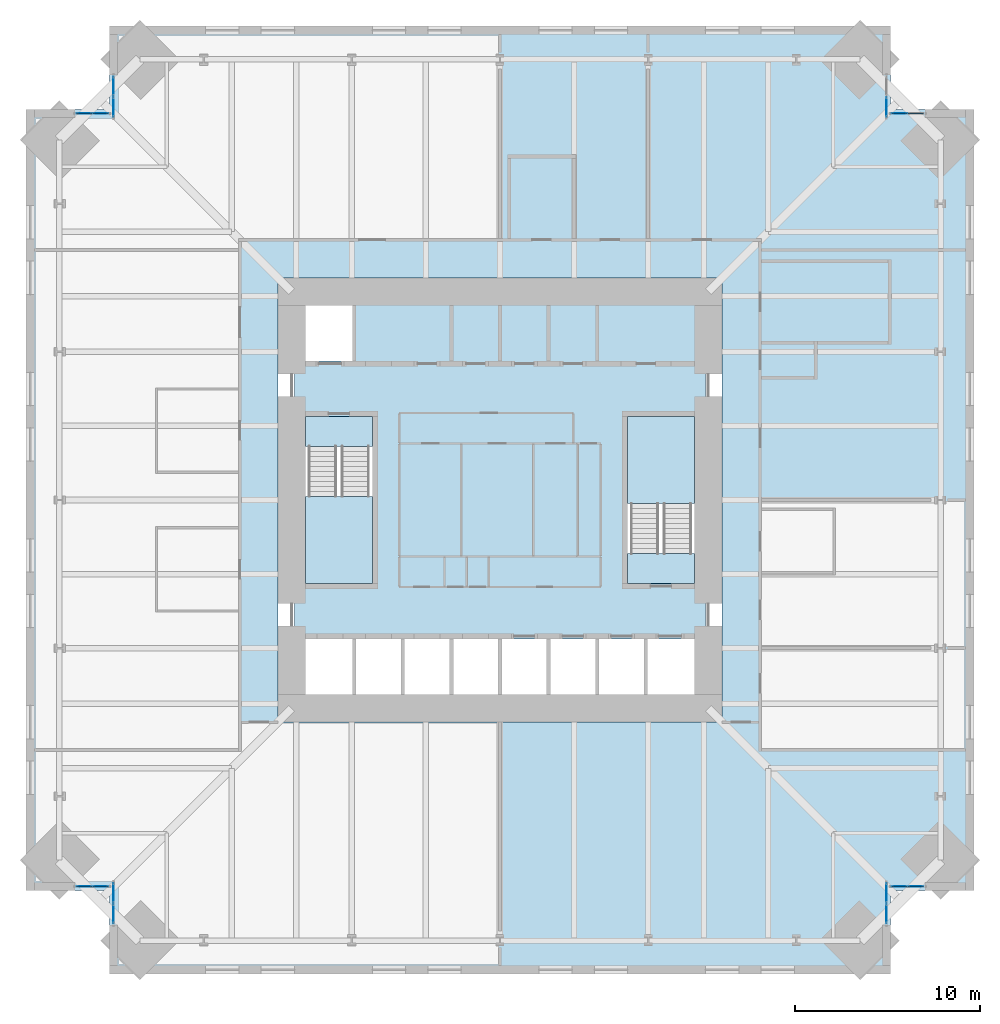
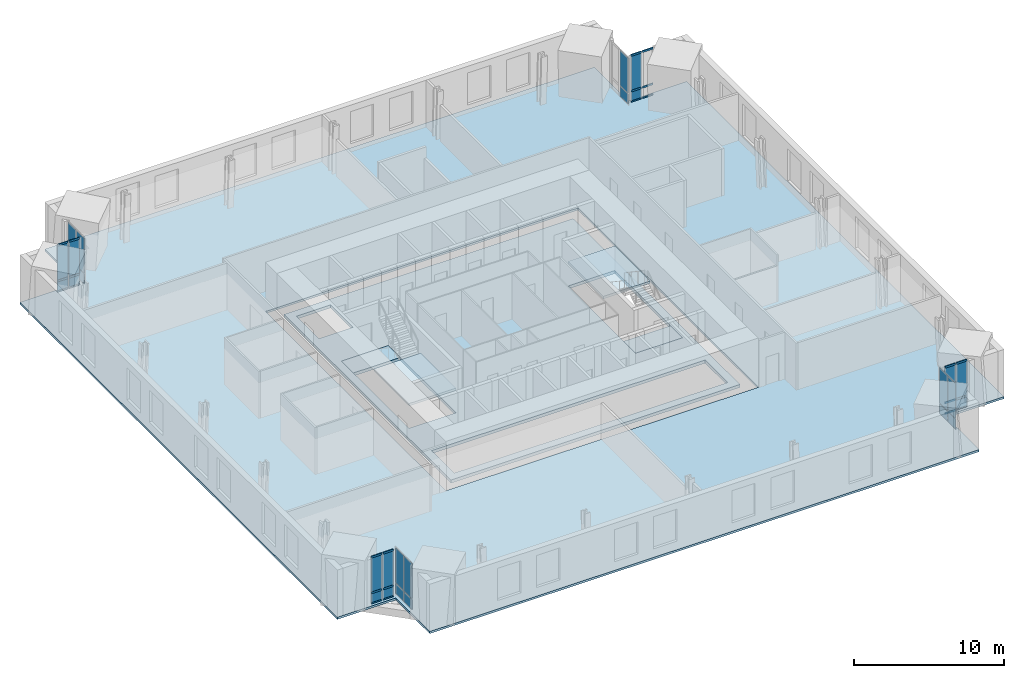
# One storey, part 12 of 18: 28 plates, 24 members, 6 slabs, 10 elements without a shape of their own.
"""IFC4 building model written with IfcOpenShell, lengths in metres."""

from ifc_helpers import new_model, si_unit, direction, frame, origin, origin_2d, place, context, subcontext, project, spatial, polyline, rectangle, hollow_rectangle, outline, extrude, material, layer, layer_set, material_profile, profile_set, type_object, element, aggregate, save


model = new_model("IFC4")

# Units and contexts
model_context = context("Model", 3, precision=1e-05, world=origin(), true_north=direction((0.0, 1.0)))
body_context = subcontext(model_context, "Body", "Model", "MODEL_VIEW")
ifc_project = project(units=[si_unit("LENGTHUNIT", "METRE"), si_unit("AREAUNIT", "SQUARE_METRE"), si_unit("VOLUMEUNIT", "CUBIC_METRE"), si_unit("PLANEANGLEUNIT", "RADIAN"), si_unit("MASSUNIT", "GRAM", prefix="KILO")], contexts=[model_context])

# Site, building, storey
site_placement = place(None, origin())
site = spatial("IfcSite", under=ifc_project, at=site_placement, CompositionType="ELEMENT")
building_placement = place(site_placement, origin())
building = spatial("IfcBuilding", under=site, at=building_placement, Name="Peilmerk Tower", CompositionType="ELEMENT")
storey_placement = place(building_placement, frame((0.0, 0.0, 175.800048828125)))
storey = spatial("IfcBuildingStorey", under=building, at=storey_placement, Name="L37", CompositionType="ELEMENT", Elevation=175.800048828125)

# Curtain wall, members
ifc_material_1 = material(Name="Aluminium stick curtain wall", Category="aluminium")
curtain_wall_type = type_object("IfcCurtainWallType", Name="CW3 stick curtain wall, 2250 module", PredefinedType="NOTDEFINED", material=ifc_material_1)
curtain_wall_1_placement = place(storey_placement, origin())
curtain_wall_1 = element("IfcCurtainWall", 1, at=curtain_wall_1_placement, inside=storey, type_object=curtain_wall_type, Name="Curtain wall CW3 NEB L37", PredefinedType="NOTDEFINED")
ifc_material_2 = material(Name="Aluminium EN AW-6063 T6", Category="aluminium")
ifc_material_profile = material_profile(ifc_material_2, hollow_rectangle(XDim=0.06494140625, YDim=0.14990234375, WallThickness=0.0029296875, at=origin_2d()), Name="AL 150x65x3")
ifc_profile_set = profile_set([ifc_material_profile], Name="Aluminium EN AW-6063 T6")
member_type = type_object("IfcMemberType", Name="CW3-T AL 150x65x3 transom", PredefinedType="USERDEFINED", material=ifc_profile_set)
member_1_placement = place(storey_placement, frame((21.1650390625, 20.875, 0.032470703125), z_axis=(1.0, 0.0, 0.0), x_axis=(0.0, 1.0, 0.0)))
member_1 = element("IfcMember", 2, at=member_1_placement, type_object=member_type, Name="CW3 transom 1.1", ObjectType="TRANSOM", PredefinedType="USERDEFINED", context=body_context, shape_type="SweptSolid", body=[
    extrude(hollow_rectangle(XDim=0.06494140625, YDim=0.14990234375, WallThickness=0.0029296875, at=origin_2d()), origin(), (0.0, 0.0, 1.0), 0.82177734375),
])
member_2_placement = place(storey_placement, frame((21.1650390625, 20.875, 0.89990234375), z_axis=(1.0, 0.0, 0.0), x_axis=(0.0, 1.0, 0.0)))
member_2 = element("IfcMember", 3, at=member_2_placement, type_object=member_type, Name="CW3 transom 1.2", ObjectType="TRANSOM", PredefinedType="USERDEFINED", context=body_context, shape_type="SweptSolid", body=[
    extrude(hollow_rectangle(XDim=0.06494140625, YDim=0.14990234375, WallThickness=0.0029296875, at=origin_2d()), origin(), (0.0, 0.0, 1.0), 0.82177734375),
])
member_3_placement = place(storey_placement, frame((21.1650390625, 20.875, 3.79736328125), z_axis=(1.0, 0.0, 0.0), x_axis=(0.0, 1.0, 0.0)))
member_3 = element("IfcMember", 4, at=member_3_placement, type_object=member_type, Name="CW3 transom 1.3", ObjectType="TRANSOM", PredefinedType="USERDEFINED", context=body_context, shape_type="SweptSolid", body=[
    extrude(hollow_rectangle(XDim=0.06494140625, YDim=0.14990234375, WallThickness=0.0029296875, at=origin_2d()), origin(), (0.0, 0.0, 1.0), 0.82177734375),
])
member_4_placement = place(storey_placement, frame((22.0517578125, 20.875, 0.032470703125), z_axis=(1.0, 0.0, 0.0), x_axis=(0.0, 1.0, 0.0)))
member_4 = element("IfcMember", 5, at=member_4_placement, type_object=member_type, Name="CW3 transom 2.1", ObjectType="TRANSOM", PredefinedType="USERDEFINED", context=body_context, shape_type="SweptSolid", body=[
    extrude(hollow_rectangle(XDim=0.06494140625, YDim=0.14990234375, WallThickness=0.0029296875, at=origin_2d()), origin(), (0.0, 0.0, 1.0), 0.822021484375),
])
member_5_placement = place(storey_placement, frame((22.0517578125, 20.875, 0.89990234375), z_axis=(1.0, 0.0, 0.0), x_axis=(0.0, 1.0, 0.0)))
member_5 = element("IfcMember", 6, at=member_5_placement, type_object=member_type, Name="CW3 transom 2.2", ObjectType="TRANSOM", PredefinedType="USERDEFINED", context=body_context, shape_type="SweptSolid", body=[
    extrude(hollow_rectangle(XDim=0.06494140625, YDim=0.14990234375, WallThickness=0.0029296875, at=origin_2d()), origin(), (0.0, 0.0, 1.0), 0.822021484375),
])
member_6_placement = place(storey_placement, frame((22.0517578125, 20.875, 3.79736328125), z_axis=(1.0, 0.0, 0.0), x_axis=(0.0, 1.0, 0.0)))
member_6 = element("IfcMember", 7, at=member_6_placement, type_object=member_type, Name="CW3 transom 2.3", ObjectType="TRANSOM", PredefinedType="USERDEFINED", context=body_context, shape_type="SweptSolid", body=[
    extrude(hollow_rectangle(XDim=0.06494140625, YDim=0.14990234375, WallThickness=0.0029296875, at=origin_2d()), origin(), (0.0, 0.0, 1.0), 0.822021484375),
])

curtain_wall_2_placement = place(storey_placement, origin())
curtain_wall_2 = element("IfcCurtainWall", 8, at=curtain_wall_2_placement, inside=storey, type_object=curtain_wall_type, Name="Curtain wall CW3 SEB L37", PredefinedType="NOTDEFINED")
member_7_placement = place(storey_placement, frame((21.1650390625, -20.875, 0.032470703125), z_axis=(1.0, 0.0, 0.0), x_axis=(0.0, 1.0, 0.0)))
member_7 = element("IfcMember", 9, at=member_7_placement, type_object=member_type, Name="CW3 transom 1.1", ObjectType="TRANSOM", PredefinedType="USERDEFINED", context=body_context, shape_type="SweptSolid", body=[
    extrude(hollow_rectangle(XDim=0.06494140625, YDim=0.14990234375, WallThickness=0.0029296875, at=origin_2d()), origin(), (0.0, 0.0, 1.0), 0.82177734375),
])
member_8_placement = place(storey_placement, frame((21.1650390625, -20.875, 0.89990234375), z_axis=(1.0, 0.0, 0.0), x_axis=(0.0, 1.0, 0.0)))
member_8 = element("IfcMember", 10, at=member_8_placement, type_object=member_type, Name="CW3 transom 1.2", ObjectType="TRANSOM", PredefinedType="USERDEFINED", context=body_context, shape_type="SweptSolid", body=[
    extrude(hollow_rectangle(XDim=0.06494140625, YDim=0.14990234375, WallThickness=0.0029296875, at=origin_2d()), origin(), (0.0, 0.0, 1.0), 0.82177734375),
])
member_9_placement = place(storey_placement, frame((21.1650390625, -20.875, 3.79736328125), z_axis=(1.0, 0.0, 0.0), x_axis=(0.0, 1.0, 0.0)))
member_9 = element("IfcMember", 11, at=member_9_placement, type_object=member_type, Name="CW3 transom 1.3", ObjectType="TRANSOM", PredefinedType="USERDEFINED", context=body_context, shape_type="SweptSolid", body=[
    extrude(hollow_rectangle(XDim=0.06494140625, YDim=0.14990234375, WallThickness=0.0029296875, at=origin_2d()), origin(), (0.0, 0.0, 1.0), 0.82177734375),
])
member_10_placement = place(storey_placement, frame((22.0517578125, -20.875, 0.032470703125), z_axis=(1.0, 0.0, 0.0), x_axis=(0.0, 1.0, 0.0)))
member_10 = element("IfcMember", 12, at=member_10_placement, type_object=member_type, Name="CW3 transom 2.1", ObjectType="TRANSOM", PredefinedType="USERDEFINED", context=body_context, shape_type="SweptSolid", body=[
    extrude(hollow_rectangle(XDim=0.06494140625, YDim=0.14990234375, WallThickness=0.0029296875, at=origin_2d()), origin(), (0.0, 0.0, 1.0), 0.822021484375),
])
member_11_placement = place(storey_placement, frame((22.0517578125, -20.875, 0.89990234375), z_axis=(1.0, 0.0, 0.0), x_axis=(0.0, 1.0, 0.0)))
member_11 = element("IfcMember", 13, at=member_11_placement, type_object=member_type, Name="CW3 transom 2.2", ObjectType="TRANSOM", PredefinedType="USERDEFINED", context=body_context, shape_type="SweptSolid", body=[
    extrude(hollow_rectangle(XDim=0.06494140625, YDim=0.14990234375, WallThickness=0.0029296875, at=origin_2d()), origin(), (0.0, 0.0, 1.0), 0.822021484375),
])
member_12_placement = place(storey_placement, frame((22.0517578125, -20.875, 3.79736328125), z_axis=(1.0, 0.0, 0.0), x_axis=(0.0, 1.0, 0.0)))
member_12 = element("IfcMember", 14, at=member_12_placement, type_object=member_type, Name="CW3 transom 2.3", ObjectType="TRANSOM", PredefinedType="USERDEFINED", context=body_context, shape_type="SweptSolid", body=[
    extrude(hollow_rectangle(XDim=0.06494140625, YDim=0.14990234375, WallThickness=0.0029296875, at=origin_2d()), origin(), (0.0, 0.0, 1.0), 0.822021484375),
])

curtain_wall_3_placement = place(storey_placement, origin())
curtain_wall_3 = element("IfcCurtainWall", 15, at=curtain_wall_3_placement, inside=storey, type_object=curtain_wall_type, Name="Curtain wall CW3 SWB L37", PredefinedType="NOTDEFINED")
member_13_placement = place(storey_placement, frame((-21.1650390625, -20.875, 0.032470703125), z_axis=(-1.0, 0.0, 0.0), x_axis=(0.0, -1.0, 0.0)))
member_13 = element("IfcMember", 16, at=member_13_placement, type_object=member_type, Name="CW3 transom 1.1", ObjectType="TRANSOM", PredefinedType="USERDEFINED", context=body_context, shape_type="SweptSolid", body=[
    extrude(hollow_rectangle(XDim=0.06494140625, YDim=0.14990234375, WallThickness=0.0029296875, at=origin_2d()), origin(), (0.0, 0.0, 1.0), 0.82177734375),
])
member_14_placement = place(storey_placement, frame((-21.1650390625, -20.875, 0.89990234375), z_axis=(-1.0, 0.0, 0.0), x_axis=(0.0, -1.0, 0.0)))
member_14 = element("IfcMember", 17, at=member_14_placement, type_object=member_type, Name="CW3 transom 1.2", ObjectType="TRANSOM", PredefinedType="USERDEFINED", context=body_context, shape_type="SweptSolid", body=[
    extrude(hollow_rectangle(XDim=0.06494140625, YDim=0.14990234375, WallThickness=0.0029296875, at=origin_2d()), origin(), (0.0, 0.0, 1.0), 0.82177734375),
])
member_15_placement = place(storey_placement, frame((-21.1650390625, -20.875, 3.79736328125), z_axis=(-1.0, 0.0, 0.0), x_axis=(0.0, -1.0, 0.0)))
member_15 = element("IfcMember", 18, at=member_15_placement, type_object=member_type, Name="CW3 transom 1.3", ObjectType="TRANSOM", PredefinedType="USERDEFINED", context=body_context, shape_type="SweptSolid", body=[
    extrude(hollow_rectangle(XDim=0.06494140625, YDim=0.14990234375, WallThickness=0.0029296875, at=origin_2d()), origin(), (0.0, 0.0, 1.0), 0.82177734375),
])
member_16_placement = place(storey_placement, frame((-22.0517578125, -20.875, 0.032470703125), z_axis=(-1.0, 0.0, 0.0), x_axis=(0.0, -1.0, 0.0)))
member_16 = element("IfcMember", 19, at=member_16_placement, type_object=member_type, Name="CW3 transom 2.1", ObjectType="TRANSOM", PredefinedType="USERDEFINED", context=body_context, shape_type="SweptSolid", body=[
    extrude(hollow_rectangle(XDim=0.06494140625, YDim=0.14990234375, WallThickness=0.0029296875, at=origin_2d()), origin(), (0.0, 0.0, 1.0), 0.822021484375),
])
member_17_placement = place(storey_placement, frame((-22.0517578125, -20.875, 0.89990234375), z_axis=(-1.0, 0.0, 0.0), x_axis=(0.0, -1.0, 0.0)))
member_17 = element("IfcMember", 20, at=member_17_placement, type_object=member_type, Name="CW3 transom 2.2", ObjectType="TRANSOM", PredefinedType="USERDEFINED", context=body_context, shape_type="SweptSolid", body=[
    extrude(hollow_rectangle(XDim=0.06494140625, YDim=0.14990234375, WallThickness=0.0029296875, at=origin_2d()), origin(), (0.0, 0.0, 1.0), 0.822021484375),
])
member_18_placement = place(storey_placement, frame((-22.0517578125, -20.875, 3.79736328125), z_axis=(-1.0, 0.0, 0.0), x_axis=(0.0, -1.0, 0.0)))
member_18 = element("IfcMember", 21, at=member_18_placement, type_object=member_type, Name="CW3 transom 2.3", ObjectType="TRANSOM", PredefinedType="USERDEFINED", context=body_context, shape_type="SweptSolid", body=[
    extrude(hollow_rectangle(XDim=0.06494140625, YDim=0.14990234375, WallThickness=0.0029296875, at=origin_2d()), origin(), (0.0, 0.0, 1.0), 0.822021484375),
])

curtain_wall_4_placement = place(storey_placement, origin())
curtain_wall_4 = element("IfcCurtainWall", 22, at=curtain_wall_4_placement, inside=storey, type_object=curtain_wall_type, Name="Curtain wall CW3 NWB L37", PredefinedType="NOTDEFINED")
member_19_placement = place(storey_placement, frame((-21.1650390625, 20.875, 0.032470703125), z_axis=(-1.0, 0.0, 0.0), x_axis=(0.0, -1.0, 0.0)))
member_19 = element("IfcMember", 23, at=member_19_placement, type_object=member_type, Name="CW3 transom 1.1", ObjectType="TRANSOM", PredefinedType="USERDEFINED", context=body_context, shape_type="SweptSolid", body=[
    extrude(hollow_rectangle(XDim=0.06494140625, YDim=0.14990234375, WallThickness=0.0029296875, at=origin_2d()), origin(), (0.0, 0.0, 1.0), 0.82177734375),
])
member_20_placement = place(storey_placement, frame((-21.1650390625, 20.875, 0.89990234375), z_axis=(-1.0, 0.0, 0.0), x_axis=(0.0, -1.0, 0.0)))
member_20 = element("IfcMember", 24, at=member_20_placement, type_object=member_type, Name="CW3 transom 1.2", ObjectType="TRANSOM", PredefinedType="USERDEFINED", context=body_context, shape_type="SweptSolid", body=[
    extrude(hollow_rectangle(XDim=0.06494140625, YDim=0.14990234375, WallThickness=0.0029296875, at=origin_2d()), origin(), (0.0, 0.0, 1.0), 0.82177734375),
])
member_21_placement = place(storey_placement, frame((-21.1650390625, 20.875, 3.79736328125), z_axis=(-1.0, 0.0, 0.0), x_axis=(0.0, -1.0, 0.0)))
member_21 = element("IfcMember", 25, at=member_21_placement, type_object=member_type, Name="CW3 transom 1.3", ObjectType="TRANSOM", PredefinedType="USERDEFINED", context=body_context, shape_type="SweptSolid", body=[
    extrude(hollow_rectangle(XDim=0.06494140625, YDim=0.14990234375, WallThickness=0.0029296875, at=origin_2d()), origin(), (0.0, 0.0, 1.0), 0.82177734375),
])
member_22_placement = place(storey_placement, frame((-22.0517578125, 20.875, 0.032470703125), z_axis=(-1.0, 0.0, 0.0), x_axis=(0.0, -1.0, 0.0)))
member_22 = element("IfcMember", 26, at=member_22_placement, type_object=member_type, Name="CW3 transom 2.1", ObjectType="TRANSOM", PredefinedType="USERDEFINED", context=body_context, shape_type="SweptSolid", body=[
    extrude(hollow_rectangle(XDim=0.06494140625, YDim=0.14990234375, WallThickness=0.0029296875, at=origin_2d()), origin(), (0.0, 0.0, 1.0), 0.822021484375),
])
member_23_placement = place(storey_placement, frame((-22.0517578125, 20.875, 0.89990234375), z_axis=(-1.0, 0.0, 0.0), x_axis=(0.0, -1.0, 0.0)))
member_23 = element("IfcMember", 27, at=member_23_placement, type_object=member_type, Name="CW3 transom 2.2", ObjectType="TRANSOM", PredefinedType="USERDEFINED", context=body_context, shape_type="SweptSolid", body=[
    extrude(hollow_rectangle(XDim=0.06494140625, YDim=0.14990234375, WallThickness=0.0029296875, at=origin_2d()), origin(), (0.0, 0.0, 1.0), 0.822021484375),
])
member_24_placement = place(storey_placement, frame((-22.0517578125, 20.875, 3.79736328125), z_axis=(-1.0, 0.0, 0.0), x_axis=(0.0, -1.0, 0.0)))
member_24 = element("IfcMember", 28, at=member_24_placement, type_object=member_type, Name="CW3 transom 2.3", ObjectType="TRANSOM", PredefinedType="USERDEFINED", context=body_context, shape_type="SweptSolid", body=[
    extrude(hollow_rectangle(XDim=0.06494140625, YDim=0.14990234375, WallThickness=0.0029296875, at=origin_2d()), origin(), (0.0, 0.0, 1.0), 0.822021484375),
])

# Slab
ifc_material_3 = material(Name="Concrete C55/67", Category="concrete")
ifc_layer_1 = layer(ifc_material_3, 0.25)
ifc_layer_set_1 = layer_set([ifc_layer_1], Name="Concrete C55/67")
slab_type_1 = type_object("IfcSlabType", Name="CS250 250 core floor slab", PredefinedType="FLOOR", material=ifc_layer_set_1)
slab_1_placement = place(storey_placement, frame((0.0, 0.0, -0.25)))
element("IfcSlab", 29, at=slab_1_placement, inside=storey, type_object=slab_type_1, Name="Core slab L37", PredefinedType="FLOOR", context=body_context, shape_type="SweptSolid", body=[
    extrude(outline(polyline([(11.10009765625, 11.10009765625), (-11.10009765625, 11.10009765625), (-11.10009765625, -11.10009765625), (11.10009765625, -11.10009765625), (11.10009765625, 11.10009765625)]), holes=[polyline([(-10.5, 7.5), (-10.5, 10.5), (-7.875, 10.5), (-7.875, 7.5), (-10.5, 7.5)]), polyline([(-10.5, -10.5), (-10.5, -7.5), (10.5, -7.5), (10.5, -10.5), (-10.5, -10.5)]), polyline([(-10.5, 4.5), (-6.89990234375, 4.5), (-6.89990234375, -4.5), (-10.5, -4.5), (-10.5, 4.5)]), polyline([(10.5, 4.5), (10.5, -4.5), (6.89990234375, -4.5), (6.89990234375, 4.5), (10.5, 4.5)])]), origin(), (0.0, 0.0, 1.0), 0.25),
])

# Curtain wall, plates
curtain_wall_5_placement = place(storey_placement, origin())
curtain_wall_5 = element("IfcCurtainWall", 30, at=curtain_wall_5_placement, inside=storey, type_object=curtain_wall_type, Name="Curtain wall CW3 NEA L37", PredefinedType="NOTDEFINED")
ifc_material_4 = material(Name="Clear insulated glazing unit", Category="glass")
ifc_layer_2 = layer(ifc_material_4, 0.028076171875)
ifc_layer_set_2 = layer_set([ifc_layer_2], Name="Clear insulated glazing unit")
plate_type = type_object("IfcPlateType", Name="CW3-P 28 glazed panel", PredefinedType="CURTAIN_PANEL", material=ifc_layer_set_2)
plate_1_placement = place(storey_placement, frame((20.875, 21.238525390625, 0.06494140625), z_axis=(0.0, 0.0, 1.0), x_axis=(0.0, 1.0, 0.0)))
plate_1 = element("IfcPlate", 31, at=plate_1_placement, type_object=plate_type, Name="CW3 panel 1.1", PredefinedType="CURTAIN_PANEL", context=body_context, shape_type="SweptSolid", body=[
    extrude(rectangle(XDim=1.046875, YDim=0.028076171875, at=origin_2d()), origin(), (0.0, 0.0, 1.0), 0.802490234375),
])
plate_2_placement = place(storey_placement, frame((20.875, 21.238525390625, 0.932373046875), z_axis=(0.0, 0.0, 1.0), x_axis=(0.0, 1.0, 0.0)))
plate_2 = element("IfcPlate", 32, at=plate_2_placement, type_object=plate_type, Name="CW3 panel 1.2", PredefinedType="CURTAIN_PANEL", context=body_context, shape_type="SweptSolid", body=[
    extrude(rectangle(XDim=1.046875, YDim=0.028076171875, at=origin_2d()), origin(), (0.0, 0.0, 1.0), 2.83251953125),
])
aggregate(curtain_wall_5, [plate_1, plate_2])

# Plate
plate_3_placement = place(storey_placement, frame((21.575927734375, 20.875, 0.06494140625), z_axis=(0.0, 0.0, 1.0), x_axis=(1.0, 0.0, 0.0)))
plate_3 = element("IfcPlate", 33, at=plate_3_placement, type_object=plate_type, Name="CW3 panel 1.1", PredefinedType="CURTAIN_PANEL", context=body_context, shape_type="SweptSolid", body=[
    extrude(rectangle(XDim=0.82177734375, YDim=0.028076171875, at=origin_2d()), origin(), (0.0, 0.0, 1.0), 0.802490234375),
])

plate_4_placement = place(storey_placement, frame((21.575927734375, 20.875, 0.932373046875), z_axis=(0.0, 0.0, 1.0), x_axis=(1.0, 0.0, 0.0)))
plate_4 = element("IfcPlate", 34, at=plate_4_placement, type_object=plate_type, Name="CW3 panel 1.2", PredefinedType="CURTAIN_PANEL", context=body_context, shape_type="SweptSolid", body=[
    extrude(rectangle(XDim=0.82177734375, YDim=0.028076171875, at=origin_2d()), origin(), (0.0, 0.0, 1.0), 2.83251953125),
])

aggregate(curtain_wall_1, [member_1, member_2, member_3, plate_3, plate_4, member_4, member_5, member_6])

# Curtain wall, plates
curtain_wall_6_placement = place(storey_placement, origin())
curtain_wall_6 = element("IfcCurtainWall", 35, at=curtain_wall_6_placement, inside=storey, type_object=curtain_wall_type, Name="Curtain wall CW3 SEA L37", PredefinedType="NOTDEFINED")
plate_5_placement = place(storey_placement, frame((20.875, -21.238525390625, 0.06494140625), z_axis=(0.0, 0.0, 1.0), x_axis=(0.0, -1.0, 0.0)))
plate_5 = element("IfcPlate", 36, at=plate_5_placement, type_object=plate_type, Name="CW3 panel 1.1", PredefinedType="CURTAIN_PANEL", context=body_context, shape_type="SweptSolid", body=[
    extrude(rectangle(XDim=1.046875, YDim=0.028076171875, at=origin_2d()), origin(), (0.0, 0.0, 1.0), 0.802490234375),
])
plate_6_placement = place(storey_placement, frame((20.875, -21.238525390625, 0.932373046875), z_axis=(0.0, 0.0, 1.0), x_axis=(0.0, -1.0, 0.0)))
plate_6 = element("IfcPlate", 37, at=plate_6_placement, type_object=plate_type, Name="CW3 panel 1.2", PredefinedType="CURTAIN_PANEL", context=body_context, shape_type="SweptSolid", body=[
    extrude(rectangle(XDim=1.046875, YDim=0.028076171875, at=origin_2d()), origin(), (0.0, 0.0, 1.0), 2.83251953125),
])
plate_7_placement = place(storey_placement, frame((20.875, -22.350341796875, 0.06494140625), z_axis=(0.0, 0.0, 1.0), x_axis=(0.0, -1.0, 0.0)))
plate_7 = element("IfcPlate", 38, at=plate_7_placement, type_object=plate_type, Name="CW3 panel 2.1", PredefinedType="CURTAIN_PANEL", context=body_context, shape_type="SweptSolid", body=[
    extrude(rectangle(XDim=1.046875, YDim=0.028076171875, at=origin_2d()), origin(), (0.0, 0.0, 1.0), 0.802490234375),
])
plate_8_placement = place(storey_placement, frame((20.875, -22.350341796875, 0.932373046875), z_axis=(0.0, 0.0, 1.0), x_axis=(0.0, -1.0, 0.0)))
plate_8 = element("IfcPlate", 39, at=plate_8_placement, type_object=plate_type, Name="CW3 panel 2.2", PredefinedType="CURTAIN_PANEL", context=body_context, shape_type="SweptSolid", body=[
    extrude(rectangle(XDim=1.046875, YDim=0.028076171875, at=origin_2d()), origin(), (0.0, 0.0, 1.0), 2.83251953125),
])
aggregate(curtain_wall_6, [plate_5, plate_6, plate_7, plate_8])

# Plate
plate_9_placement = place(storey_placement, frame((21.575927734375, -20.875, 0.06494140625), z_axis=(0.0, 0.0, 1.0), x_axis=(1.0, 0.0, 0.0)))
plate_9 = element("IfcPlate", 40, at=plate_9_placement, type_object=plate_type, Name="CW3 panel 1.1", PredefinedType="CURTAIN_PANEL", context=body_context, shape_type="SweptSolid", body=[
    extrude(rectangle(XDim=0.82177734375, YDim=0.028076171875, at=origin_2d()), origin(), (0.0, 0.0, 1.0), 0.802490234375),
])

plate_10_placement = place(storey_placement, frame((21.575927734375, -20.875, 0.932373046875), z_axis=(0.0, 0.0, 1.0), x_axis=(1.0, 0.0, 0.0)))
plate_10 = element("IfcPlate", 41, at=plate_10_placement, type_object=plate_type, Name="CW3 panel 1.2", PredefinedType="CURTAIN_PANEL", context=body_context, shape_type="SweptSolid", body=[
    extrude(rectangle(XDim=0.82177734375, YDim=0.028076171875, at=origin_2d()), origin(), (0.0, 0.0, 1.0), 2.83251953125),
])

plate_11_placement = place(storey_placement, frame((22.462646484375, -20.875, 0.06494140625), z_axis=(0.0, 0.0, 1.0), x_axis=(1.0, 0.0, 0.0)))
plate_11 = element("IfcPlate", 42, at=plate_11_placement, type_object=plate_type, Name="CW3 panel 2.1", PredefinedType="CURTAIN_PANEL", context=body_context, shape_type="SweptSolid", body=[
    extrude(rectangle(XDim=0.82177734375, YDim=0.028076171875, at=origin_2d()), origin(), (0.0, 0.0, 1.0), 0.802490234375),
])

plate_12_placement = place(storey_placement, frame((22.462646484375, -20.875, 0.932373046875), z_axis=(0.0, 0.0, 1.0), x_axis=(1.0, 0.0, 0.0)))
plate_12 = element("IfcPlate", 43, at=plate_12_placement, type_object=plate_type, Name="CW3 panel 2.2", PredefinedType="CURTAIN_PANEL", context=body_context, shape_type="SweptSolid", body=[
    extrude(rectangle(XDim=0.82177734375, YDim=0.028076171875, at=origin_2d()), origin(), (0.0, 0.0, 1.0), 2.83251953125),
])

aggregate(curtain_wall_2, [member_7, member_8, member_9, plate_9, plate_10, member_10, member_11, member_12, plate_11, plate_12])

# Curtain wall, plates
curtain_wall_7_placement = place(storey_placement, origin())
curtain_wall_7 = element("IfcCurtainWall", 44, at=curtain_wall_7_placement, inside=storey, type_object=curtain_wall_type, Name="Curtain wall CW3 SWA L37", PredefinedType="NOTDEFINED")
plate_13_placement = place(storey_placement, frame((-20.875, -21.238525390625, 0.06494140625), z_axis=(0.0, 0.0, 1.0), x_axis=(0.0, -1.0, 0.0)))
plate_13 = element("IfcPlate", 45, at=plate_13_placement, type_object=plate_type, Name="CW3 panel 1.1", PredefinedType="CURTAIN_PANEL", context=body_context, shape_type="SweptSolid", body=[
    extrude(rectangle(XDim=1.046875, YDim=0.028076171875, at=origin_2d()), origin(), (0.0, 0.0, 1.0), 0.802490234375),
])
plate_14_placement = place(storey_placement, frame((-20.875, -21.238525390625, 0.932373046875), z_axis=(0.0, 0.0, 1.0), x_axis=(0.0, -1.0, 0.0)))
plate_14 = element("IfcPlate", 46, at=plate_14_placement, type_object=plate_type, Name="CW3 panel 1.2", PredefinedType="CURTAIN_PANEL", context=body_context, shape_type="SweptSolid", body=[
    extrude(rectangle(XDim=1.046875, YDim=0.028076171875, at=origin_2d()), origin(), (0.0, 0.0, 1.0), 2.83251953125),
])
plate_15_placement = place(storey_placement, frame((-20.875, -22.350341796875, 0.06494140625), z_axis=(0.0, 0.0, 1.0), x_axis=(0.0, -1.0, 0.0)))
plate_15 = element("IfcPlate", 47, at=plate_15_placement, type_object=plate_type, Name="CW3 panel 2.1", PredefinedType="CURTAIN_PANEL", context=body_context, shape_type="SweptSolid", body=[
    extrude(rectangle(XDim=1.046875, YDim=0.028076171875, at=origin_2d()), origin(), (0.0, 0.0, 1.0), 0.802490234375),
])
plate_16_placement = place(storey_placement, frame((-20.875, -22.350341796875, 0.932373046875), z_axis=(0.0, 0.0, 1.0), x_axis=(0.0, -1.0, 0.0)))
plate_16 = element("IfcPlate", 48, at=plate_16_placement, type_object=plate_type, Name="CW3 panel 2.2", PredefinedType="CURTAIN_PANEL", context=body_context, shape_type="SweptSolid", body=[
    extrude(rectangle(XDim=1.046875, YDim=0.028076171875, at=origin_2d()), origin(), (0.0, 0.0, 1.0), 2.83251953125),
])
aggregate(curtain_wall_7, [plate_13, plate_14, plate_15, plate_16])

# Plate
plate_17_placement = place(storey_placement, frame((-21.575927734375, -20.875, 0.06494140625), z_axis=(0.0, 0.0, 1.0), x_axis=(-1.0, 0.0, 0.0)))
plate_17 = element("IfcPlate", 49, at=plate_17_placement, type_object=plate_type, Name="CW3 panel 1.1", PredefinedType="CURTAIN_PANEL", context=body_context, shape_type="SweptSolid", body=[
    extrude(rectangle(XDim=0.82177734375, YDim=0.028076171875, at=origin_2d()), origin(), (0.0, 0.0, 1.0), 0.802490234375),
])

plate_18_placement = place(storey_placement, frame((-21.575927734375, -20.875, 0.932373046875), z_axis=(0.0, 0.0, 1.0), x_axis=(-1.0, 0.0, 0.0)))
plate_18 = element("IfcPlate", 50, at=plate_18_placement, type_object=plate_type, Name="CW3 panel 1.2", PredefinedType="CURTAIN_PANEL", context=body_context, shape_type="SweptSolid", body=[
    extrude(rectangle(XDim=0.82177734375, YDim=0.028076171875, at=origin_2d()), origin(), (0.0, 0.0, 1.0), 2.83251953125),
])

plate_19_placement = place(storey_placement, frame((-22.462646484375, -20.875, 0.06494140625), z_axis=(0.0, 0.0, 1.0), x_axis=(-1.0, 0.0, 0.0)))
plate_19 = element("IfcPlate", 51, at=plate_19_placement, type_object=plate_type, Name="CW3 panel 2.1", PredefinedType="CURTAIN_PANEL", context=body_context, shape_type="SweptSolid", body=[
    extrude(rectangle(XDim=0.82177734375, YDim=0.028076171875, at=origin_2d()), origin(), (0.0, 0.0, 1.0), 0.802490234375),
])

plate_20_placement = place(storey_placement, frame((-22.462646484375, -20.875, 0.932373046875), z_axis=(0.0, 0.0, 1.0), x_axis=(-1.0, 0.0, 0.0)))
plate_20 = element("IfcPlate", 52, at=plate_20_placement, type_object=plate_type, Name="CW3 panel 2.2", PredefinedType="CURTAIN_PANEL", context=body_context, shape_type="SweptSolid", body=[
    extrude(rectangle(XDim=0.82177734375, YDim=0.028076171875, at=origin_2d()), origin(), (0.0, 0.0, 1.0), 2.83251953125),
])

aggregate(curtain_wall_3, [member_13, member_14, member_15, plate_17, plate_18, member_16, member_17, member_18, plate_19, plate_20])

# Curtain wall, plates
curtain_wall_8_placement = place(storey_placement, origin())
curtain_wall_8 = element("IfcCurtainWall", 53, at=curtain_wall_8_placement, inside=storey, type_object=curtain_wall_type, Name="Curtain wall CW3 NWA L37", PredefinedType="NOTDEFINED")
plate_21_placement = place(storey_placement, frame((-20.875, 21.238525390625, 0.06494140625), z_axis=(0.0, 0.0, 1.0), x_axis=(0.0, 1.0, 0.0)))
plate_21 = element("IfcPlate", 54, at=plate_21_placement, type_object=plate_type, Name="CW3 panel 1.1", PredefinedType="CURTAIN_PANEL", context=body_context, shape_type="SweptSolid", body=[
    extrude(rectangle(XDim=1.046875, YDim=0.028076171875, at=origin_2d()), origin(), (0.0, 0.0, 1.0), 0.802490234375),
])
plate_22_placement = place(storey_placement, frame((-20.875, 21.238525390625, 0.932373046875), z_axis=(0.0, 0.0, 1.0), x_axis=(0.0, 1.0, 0.0)))
plate_22 = element("IfcPlate", 55, at=plate_22_placement, type_object=plate_type, Name="CW3 panel 1.2", PredefinedType="CURTAIN_PANEL", context=body_context, shape_type="SweptSolid", body=[
    extrude(rectangle(XDim=1.046875, YDim=0.028076171875, at=origin_2d()), origin(), (0.0, 0.0, 1.0), 2.83251953125),
])
plate_23_placement = place(storey_placement, frame((-20.875, 22.350341796875, 0.06494140625), z_axis=(0.0, 0.0, 1.0), x_axis=(0.0, 1.0, 0.0)))
plate_23 = element("IfcPlate", 56, at=plate_23_placement, type_object=plate_type, Name="CW3 panel 2.1", PredefinedType="CURTAIN_PANEL", context=body_context, shape_type="SweptSolid", body=[
    extrude(rectangle(XDim=1.046875, YDim=0.028076171875, at=origin_2d()), origin(), (0.0, 0.0, 1.0), 0.802490234375),
])
plate_24_placement = place(storey_placement, frame((-20.875, 22.350341796875, 0.932373046875), z_axis=(0.0, 0.0, 1.0), x_axis=(0.0, 1.0, 0.0)))
plate_24 = element("IfcPlate", 57, at=plate_24_placement, type_object=plate_type, Name="CW3 panel 2.2", PredefinedType="CURTAIN_PANEL", context=body_context, shape_type="SweptSolid", body=[
    extrude(rectangle(XDim=1.046875, YDim=0.028076171875, at=origin_2d()), origin(), (0.0, 0.0, 1.0), 2.83251953125),
])
aggregate(curtain_wall_8, [plate_21, plate_22, plate_23, plate_24])

# Plate
plate_25_placement = place(storey_placement, frame((-21.575927734375, 20.875, 0.06494140625), z_axis=(0.0, 0.0, 1.0), x_axis=(-1.0, 0.0, 0.0)))
plate_25 = element("IfcPlate", 58, at=plate_25_placement, type_object=plate_type, Name="CW3 panel 1.1", PredefinedType="CURTAIN_PANEL", context=body_context, shape_type="SweptSolid", body=[
    extrude(rectangle(XDim=0.82177734375, YDim=0.028076171875, at=origin_2d()), origin(), (0.0, 0.0, 1.0), 0.802490234375),
])

plate_26_placement = place(storey_placement, frame((-21.575927734375, 20.875, 0.932373046875), z_axis=(0.0, 0.0, 1.0), x_axis=(-1.0, 0.0, 0.0)))
plate_26 = element("IfcPlate", 59, at=plate_26_placement, type_object=plate_type, Name="CW3 panel 1.2", PredefinedType="CURTAIN_PANEL", context=body_context, shape_type="SweptSolid", body=[
    extrude(rectangle(XDim=0.82177734375, YDim=0.028076171875, at=origin_2d()), origin(), (0.0, 0.0, 1.0), 2.83251953125),
])

plate_27_placement = place(storey_placement, frame((-22.462646484375, 20.875, 0.06494140625), z_axis=(0.0, 0.0, 1.0), x_axis=(-1.0, 0.0, 0.0)))
plate_27 = element("IfcPlate", 60, at=plate_27_placement, type_object=plate_type, Name="CW3 panel 2.1", PredefinedType="CURTAIN_PANEL", context=body_context, shape_type="SweptSolid", body=[
    extrude(rectangle(XDim=0.82177734375, YDim=0.028076171875, at=origin_2d()), origin(), (0.0, 0.0, 1.0), 0.802490234375),
])

plate_28_placement = place(storey_placement, frame((-22.462646484375, 20.875, 0.932373046875), z_axis=(0.0, 0.0, 1.0), x_axis=(-1.0, 0.0, 0.0)))
plate_28 = element("IfcPlate", 61, at=plate_28_placement, type_object=plate_type, Name="CW3 panel 2.2", PredefinedType="CURTAIN_PANEL", context=body_context, shape_type="SweptSolid", body=[
    extrude(rectangle(XDim=0.82177734375, YDim=0.028076171875, at=origin_2d()), origin(), (0.0, 0.0, 1.0), 2.83251953125),
])

aggregate(curtain_wall_4, [member_19, member_20, member_21, plate_25, plate_26, member_22, member_23, member_24, plate_27, plate_28])

# Slab
ifc_material_5 = material(Name="Concrete C35/45", Category="concrete")
ifc_layer_3 = layer(ifc_material_5, 0.169921875)
ifc_layer_set_3 = layer_set([ifc_layer_3], Name="Concrete C35/45")
slab_type_2 = type_object("IfcSlabType", Name="FS170 170 composite floor slab", PredefinedType="FLOOR", material=ifc_layer_set_3)
slab_2_placement = place(storey_placement, frame((0.0, 0.0, -0.170166015625)))
element("IfcSlab", 62, at=slab_2_placement, inside=storey, type_object=slab_type_2, Name="Floor slab L37", PredefinedType="FLOOR", context=body_context, shape_type="SweptSolid", body=[
    extrude(outline(polyline([(-21.10009765625, -25.60009765625), (21.10009765625, -25.60009765625), (21.10009765625, -21.10009765625), (25.60009765625, -21.10009765625), (25.60009765625, 21.10009765625), (21.10009765625, 21.10009765625), (21.10009765625, 25.60009765625), (-21.10009765625, 25.60009765625), (-21.10009765625, 21.10009765625), (-25.60009765625, 21.10009765625), (-25.60009765625, -21.10009765625), (-21.10009765625, -21.10009765625), (-21.10009765625, -25.60009765625)]), holes=[polyline([(12.0, 12.0), (12.0, -12.0), (-12.0, -12.0), (-12.0, 12.0), (12.0, 12.0)])]), origin(), (0.0, 0.0, 1.0), 0.170166015625),
])

# Stair, slab
ifc_material_6 = material(Name="Precast concrete C45/55", Category="concrete")
stair_type_1 = type_object("IfcStairType", Name="ST1 22 risers of 181.8", PredefinedType="HALF_TURN_STAIR", material=ifc_material_6)
stair_1_placement = place(storey_placement, origin())
stair_1 = element("IfcStair", 63, at=stair_1_placement, inside=storey, type_object=stair_type_1, Name="Stair 1 L37 to L38", PredefinedType="HALF_TURN_STAIR")
ifc_layer_4 = layer(ifc_material_5, 0.199951171875)
ifc_layer_set_4 = layer_set([ifc_layer_4], Name="Concrete C35/45")
slab_type_3 = type_object("IfcSlabType", Name="SL1 200 concrete stair landing", PredefinedType="LANDING", material=ifc_layer_set_4)
slab_3_placement = place(storey_placement, frame((0.0, 0.0, 1.800048828125)))
slab_3 = element("IfcSlab", 64, at=slab_3_placement, type_object=slab_type_3, Name="ST1 landing 1", PredefinedType="LANDING", context=body_context, shape_type="SweptSolid", body=[
    extrude(outline(polyline([(-10.5, -4.5), (-6.89990234375, -4.5), (-6.89990234375, 0.199951171875), (-10.5, 0.199951171875), (-10.5, -4.5)])), origin(), (0.0, 0.0, 1.0), 0.199951171875),
])

stair_type_2 = type_object("IfcStairType", Name="ST2 22 risers of 181.8", PredefinedType="HALF_TURN_STAIR", material=ifc_material_6)
stair_2_placement = place(storey_placement, origin())
stair_2 = element("IfcStair", 65, at=stair_2_placement, inside=storey, type_object=stair_type_2, Name="Stair 2 L37 to L38", PredefinedType="HALF_TURN_STAIR")
slab_4_placement = place(storey_placement, frame((0.0, 0.0, 1.800048828125)))
slab_4 = element("IfcSlab", 66, at=slab_4_placement, type_object=slab_type_3, Name="ST2 landing 1", PredefinedType="LANDING", context=body_context, shape_type="SweptSolid", body=[
    extrude(outline(polyline([(6.89990234375, -0.199951171875), (10.5, -0.199951171875), (10.5, 4.5), (6.89990234375, 4.5), (6.89990234375, -0.199951171875)])), origin(), (0.0, 0.0, 1.0), 0.199951171875),
])

# Slab
ifc_layer_5 = layer(ifc_material_5, 0.25)
ifc_layer_set_5 = layer_set([ifc_layer_5], Name="Concrete C35/45")
slab_type_4 = type_object("IfcSlabType", Name="SL2 250 concrete floor landing", PredefinedType="LANDING", material=ifc_layer_set_5)
slab_5_placement = place(storey_placement, frame((0.0, 0.0, -0.25)))
slab_5 = element("IfcSlab", 67, at=slab_5_placement, type_object=slab_type_4, Name="ST1 floor landing", PredefinedType="LANDING", context=body_context, shape_type="SweptSolid", body=[
    extrude(outline(polyline([(-10.5, 2.89990234375), (-6.89990234375, 2.89990234375), (-6.89990234375, 4.5), (-10.5, 4.5), (-10.5, 2.89990234375)])), origin(), (0.0, 0.0, 1.0), 0.25),
])

aggregate(stair_1, [slab_3, slab_5])

slab_6_placement = place(storey_placement, frame((0.0, 0.0, -0.25)))
slab_6 = element("IfcSlab", 68, at=slab_6_placement, type_object=slab_type_4, Name="ST2 floor landing", PredefinedType="LANDING", context=body_context, shape_type="SweptSolid", body=[
    extrude(outline(polyline([(6.89990234375, -4.5), (10.5, -4.5), (10.5, -2.89990234375), (6.89990234375, -2.89990234375), (6.89990234375, -4.5)])), origin(), (0.0, 0.0, 1.0), 0.25),
])

aggregate(stair_2, [slab_4, slab_6])

save(model, "model.ifc")
